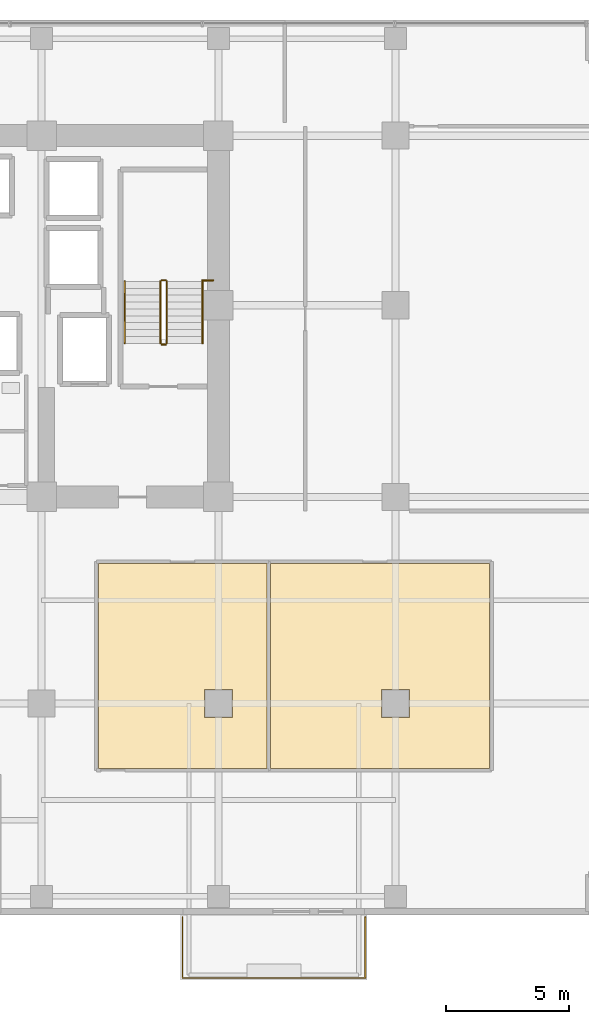
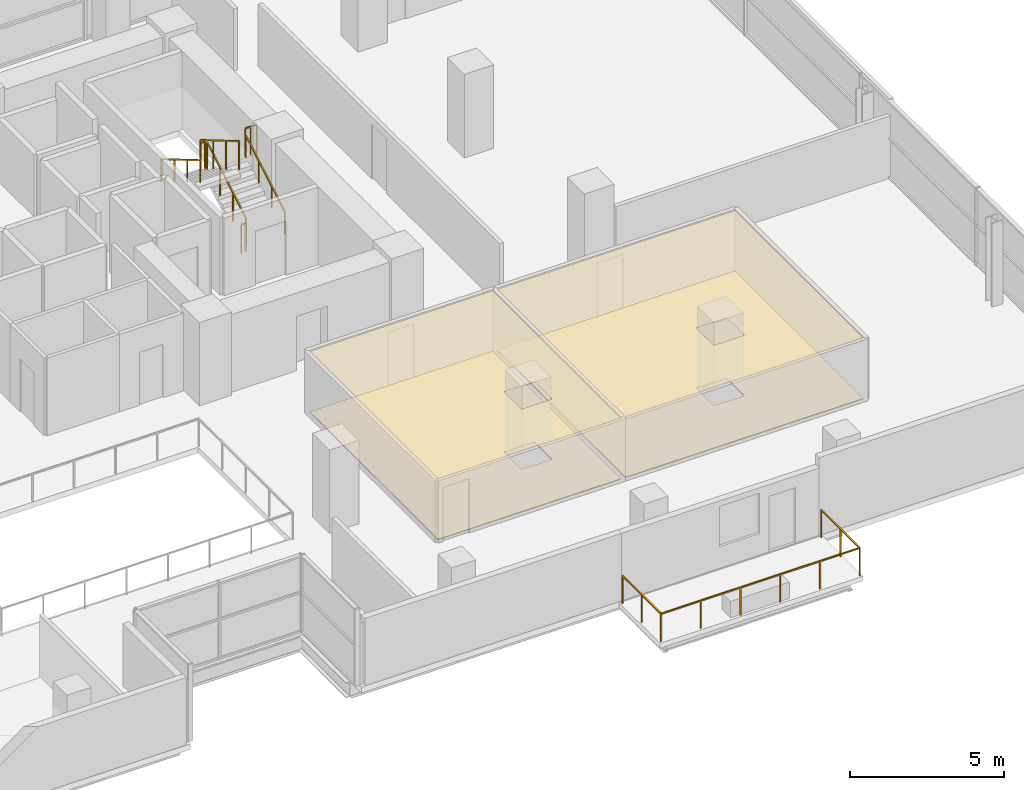
# One storey, part 30 of 31: 8 railings, 4 coverings.
"""IFC4 building model written with IfcOpenShell, lengths in metres."""

from ifc_helpers import new_model, si_unit, direction, frame, origin, origin_2d, place, context, subcontext, project, spatial, polyline, rectangle, outline, extrude, material, layer, layer_set, type_object, element, save


model = new_model("IFC4")

# Units and contexts
model_context = context("Model", 3, precision=1e-05, world=origin(), true_north=direction((0.0, 1.0)))
body_context = subcontext(model_context, "Body", "Model", "MODEL_VIEW")
ifc_project = project(units=[si_unit("LENGTHUNIT", "METRE"), si_unit("AREAUNIT", "SQUARE_METRE"), si_unit("VOLUMEUNIT", "CUBIC_METRE"), si_unit("PLANEANGLEUNIT", "RADIAN"), si_unit("MASSUNIT", "GRAM", prefix="KILO")], contexts=[model_context])

# Site, building, storey
site_placement = place(None, origin())
site = spatial("IfcSite", under=ifc_project, at=site_placement, CompositionType="ELEMENT")
building_placement = place(site_placement, origin())
building = spatial("IfcBuilding", under=site, at=building_placement, Name="Zarnakvel Exchange Tower", CompositionType="ELEMENT")
storey_placement = place(building_placement, frame((0.0, 0.0, 60.39990234375)))
storey = spatial("IfcBuildingStorey", under=building, at=storey_placement, Name="L16", CompositionType="ELEMENT", Elevation=60.39990234375)

# Coverings
ifc_material_1 = material(Name="Perforated Bronze Acoustic Metal Ceiling", Category="aluminium")
ifc_layer_1 = layer(ifc_material_1, 0.02001953125)
ifc_layer_set_1 = layer_set([ifc_layer_1], Name="Perforated Bronze Acoustic Metal Ceiling")
covering_type_1 = type_object("IfcCoveringType", Name="CLG-01", PredefinedType="CEILING", material=ifc_layer_set_1)
covering_1_placement = place(storey_placement, frame((0.0, 0.0, 2.405029296875)))
element("IfcCovering", 1, at=covering_1_placement, inside=storey, type_object=covering_type_1, Name="L16 Suspended Acoustic Ceiling (Seminar Room)", PredefinedType="CEILING", context=body_context, shape_type="SweptSolid", body=[
    extrude(outline(polyline([(9.510009765625, -3.909912109375), (16.364501953125, -3.909912109375), (16.364501953125, -12.239990234375), (9.510009765625, -12.239990234375), (9.510009765625, -3.909912109375)]), holes=[polyline([(13.830078125, -10.169921875), (14.969970703125, -10.169921875), (14.969970703125, -9.030029296875), (13.830078125, -9.030029296875), (13.830078125, -10.169921875)])]), origin(), (0.0, 0.0, 1.0), 0.02001953125),
])
covering_2_placement = place(storey_placement, frame((0.0, 0.0, 2.405029296875)))
element("IfcCovering", 2, at=covering_2_placement, inside=storey, type_object=covering_type_1, Name="L16 Suspended Acoustic Ceiling (Boardroom)", PredefinedType="CEILING", context=body_context, shape_type="SweptSolid", body=[
    extrude(outline(polyline([(16.5244140625, -3.909912109375), (25.435302734375, -3.909912109375), (25.435302734375, -12.239990234375), (16.5244140625, -12.239990234375), (16.5244140625, -3.909912109375)]), holes=[polyline([(22.169921875, -10.169921875), (22.169921875, -9.030029296875), (21.030029296875, -9.030029296875), (21.030029296875, -10.169921875), (22.169921875, -10.169921875)])]), origin(), (0.0, 0.0, 1.0), 0.02001953125),
])
ifc_material_2 = material(Name="Heavy-Duty Raised Access Floor Panel", Category="steel")
ifc_layer_2 = layer(ifc_material_2, 0.034912109375)
ifc_layer_set_2 = layer_set([ifc_layer_2], Name="Heavy-Duty Raised Access Floor Panel")
covering_type_2 = type_object("IfcCoveringType", Name="FLR-02", PredefinedType="FLOORING", material=ifc_layer_set_2)
covering_3_placement = place(storey_placement, origin())
element("IfcCovering", 3, at=covering_3_placement, inside=storey, type_object=covering_type_2, Name="L16 Floor Finish (Seminar Room)", PredefinedType="FLOORING", context=body_context, shape_type="SweptSolid", body=[
    extrude(outline(polyline([(9.510009765625, -3.909912109375), (16.364501953125, -3.909912109375), (16.364501953125, -12.239990234375), (9.510009765625, -12.239990234375), (9.510009765625, -3.909912109375)]), holes=[polyline([(13.830078125, -10.169921875), (14.969970703125, -10.169921875), (14.969970703125, -9.030029296875), (13.830078125, -9.030029296875), (13.830078125, -10.169921875)])]), origin(), (0.0, 0.0, 1.0), 0.03515625),
])
covering_4_placement = place(storey_placement, origin())
element("IfcCovering", 4, at=covering_4_placement, inside=storey, type_object=covering_type_2, Name="L16 Floor Finish (Boardroom)", PredefinedType="FLOORING", context=body_context, shape_type="SweptSolid", body=[
    extrude(outline(polyline([(16.5244140625, -3.909912109375), (25.435302734375, -3.909912109375), (25.435302734375, -12.239990234375), (16.5244140625, -12.239990234375), (16.5244140625, -3.909912109375)]), holes=[polyline([(22.169921875, -10.169921875), (22.169921875, -9.030029296875), (21.030029296875, -9.030029296875), (21.030029296875, -10.169921875), (22.169921875, -10.169921875)])]), origin(), (0.0, 0.0, 1.0), 0.03515625),
])

# Railings
ifc_material_3 = material(Name="Architectural Bronze Anodised Aluminium", Category="aluminium")
railing_type_1 = type_object("IfcRailingType", Name="GR-02", PredefinedType="GUARDRAIL", material=ifc_material_3)
railing_1_placement = place(storey_placement, frame((12.929931640625, -18.280029296875, -0.034912109375)))
element("IfcRailing", 5, at=railing_1_placement, inside=storey, type_object=railing_type_1, Name="L16 Balcony Guardrail BAL-L16-SE", PredefinedType="GUARDRAIL", context=body_context, shape_type="SweptSolid", body=[
    extrude(rectangle(XDim=0.048095703125, YDim=0.048095703125, at=origin_2d()), frame((0.0, 0.0, 1.09619140625), z_axis=(0.0, -1.0, 0.0), x_axis=(1.0, 0.0, 0.0)), (0.0, 0.0, 1.0), 2.489990234375),
    extrude(rectangle(XDim=0.048095703125, YDim=0.048095703125, at=origin_2d()), frame((0.0, -2.489990234375, 1.09619140625), z_axis=(1.0, 0.0, 0.0), x_axis=(0.0, 1.0, 0.0)), (0.0, 0.0, 1.0), 7.440185546875),
    extrude(rectangle(XDim=0.048095703125, YDim=0.048095703125, at=origin_2d()), frame((7.440185546875, -2.489990234375, 1.09619140625), z_axis=(0.0, 1.0, 0.0), x_axis=(-1.0, 0.0, 0.0)), (0.0, 0.0, 1.0), 2.489990234375),
    extrude(rectangle(XDim=0.0419921875, YDim=0.0419921875, at=origin_2d()), origin(), (0.0, 0.0, 1.0), 1.072021484375),
    extrude(rectangle(XDim=0.0419921875, YDim=0.0419921875, at=origin_2d()), frame((0.0, -1.2451171875, 0.0)), (0.0, 0.0, 1.0), 1.072021484375),
    extrude(rectangle(XDim=0.0419921875, YDim=0.0419921875, at=origin_2d()), frame((0.0, -2.489990234375, 0.0)), (0.0, 0.0, 1.0), 1.072021484375),
    extrude(rectangle(XDim=0.0419921875, YDim=0.0419921875, at=origin_2d()), frame((1.488037109375, -2.489990234375, 0.0)), (0.0, 0.0, 1.0), 1.072021484375),
    extrude(rectangle(XDim=0.0419921875, YDim=0.0419921875, at=origin_2d()), frame((2.97607421875, -2.489990234375, 0.0)), (0.0, 0.0, 1.0), 1.072021484375),
    extrude(rectangle(XDim=0.0419921875, YDim=0.0419921875, at=origin_2d()), frame((4.464111328125, -2.489990234375, 0.0)), (0.0, 0.0, 1.0), 1.072021484375),
    extrude(rectangle(XDim=0.0419921875, YDim=0.0419921875, at=origin_2d()), frame((5.9521484375, -2.489990234375, 0.0)), (0.0, 0.0, 1.0), 1.072021484375),
    extrude(rectangle(XDim=0.0419921875, YDim=0.0419921875, at=origin_2d()), frame((7.440185546875, -2.489990234375, 0.0)), (0.0, 0.0, 1.0), 1.072021484375),
    extrude(rectangle(XDim=0.0419921875, YDim=0.0419921875, at=origin_2d()), frame((7.440185546875, -1.2451171875, 0.0)), (0.0, 0.0, 1.0), 1.072021484375),
    extrude(rectangle(XDim=0.0419921875, YDim=0.0419921875, at=origin_2d()), frame((7.440185546875, 0.0, 0.0)), (0.0, 0.0, 1.0), 1.072021484375),
])
ifc_material_4 = material(Name="Brushed Stainless Steel", Category="steel")
railing_type_2 = type_object("IfcRailingType", Name="HR-01", PredefinedType="HANDRAIL", material=ifc_material_4)
railing_2_placement = place(storey_placement, frame((13.75, 5.050048828125, 0.1650390625)))
element("IfcRailing", 6, at=railing_2_placement, inside=storey, type_object=railing_type_2, Name="L16 ST-02 stair handrail 1", PredefinedType="HANDRAIL", context=body_context, shape_type="SweptSolid", body=[
    extrude(rectangle(XDim=0.048095703125, YDim=0.048095703125, at=origin_2d()), frame((0.0, 0.0, 0.8759765625), z_axis=(0.0, 0.86152411907, 0.507716645641), x_axis=(-1.0, 0.0, 0.0)), (0.0, 0.0, 1.0), 2.925048828125),
    extrude(rectangle(XDim=0.0419921875, YDim=0.0419921875, at=origin_2d()), origin(), (0.0, 0.0, 1.0), 0.851806640625),
    extrude(rectangle(XDim=0.0419921875, YDim=0.0419921875, at=origin_2d()), frame((0.0, 0.840087890625, 0.4951171875)), (0.0, 0.0, 1.0), 0.851806640625),
    extrude(rectangle(XDim=0.0419921875, YDim=0.0419921875, at=origin_2d()), frame((0.0, 1.679931640625, 0.989990234375)), (0.0, 0.0, 1.0), 0.851806640625),
    extrude(rectangle(XDim=0.0419921875, YDim=0.0419921875, at=origin_2d()), frame((0.0, 2.52001953125, 1.485107421875)), (0.0, 0.0, 1.0), 0.851806640625),
])
railing_3_placement = place(storey_placement, frame((10.590087890625, 7.570068359375, 1.815185546875)))
element("IfcRailing", 7, at=railing_3_placement, inside=storey, type_object=railing_type_2, Name="L16 ST-02 stair handrail 2", PredefinedType="HANDRAIL", context=body_context, shape_type="SweptSolid", body=[
    extrude(rectangle(XDim=0.048095703125, YDim=0.048095703125, at=origin_2d()), frame((0.0, 0.0, 0.8759765625), z_axis=(0.0, -0.861560626758, 0.507654692109), x_axis=(1.0, 0.0, 0.0)), (0.0, 0.0, 1.0), 2.925048828125),
    extrude(rectangle(XDim=0.0419921875, YDim=0.0419921875, at=origin_2d()), origin(), (0.0, 0.0, 1.0), 0.851806640625),
    extrude(rectangle(XDim=0.0419921875, YDim=0.0419921875, at=origin_2d()), frame((0.0, -0.840087890625, 0.494873046875)), (0.0, 0.0, 1.0), 0.851806640625),
    extrude(rectangle(XDim=0.0419921875, YDim=0.0419921875, at=origin_2d()), frame((0.0, -1.679931640625, 0.989990234375)), (0.0, 0.0, 1.0), 0.851806640625),
    extrude(rectangle(XDim=0.0419921875, YDim=0.0419921875, at=origin_2d()), frame((0.0, -2.52001953125, 1.48486328125)), (0.0, 0.0, 1.0), 0.851806640625),
])
railing_type_3 = type_object("IfcRailingType", Name="SG-01", PredefinedType="GUARDRAIL", material=ifc_material_3)
railing_4_placement = place(storey_placement, frame((12.300048828125, 5.050048828125, 0.1650390625)))
element("IfcRailing", 8, at=railing_4_placement, inside=storey, type_object=railing_type_3, Name="L16 ST-02 stair guard 1", PredefinedType="GUARDRAIL", context=body_context, shape_type="SweptSolid", body=[
    extrude(rectangle(XDim=0.048095703125, YDim=0.048095703125, at=origin_2d()), frame((0.0, 0.0, 1.1259765625), z_axis=(0.0, 0.86152411907, 0.507716645641), x_axis=(-1.0, 0.0, 0.0)), (0.0, 0.0, 1.0), 2.925048828125),
    extrude(rectangle(XDim=0.0419921875, YDim=0.0419921875, at=origin_2d()), origin(), (0.0, 0.0, 1.0), 1.101806640625),
    extrude(rectangle(XDim=0.0419921875, YDim=0.0419921875, at=origin_2d()), frame((0.0, 0.840087890625, 0.4951171875)), (0.0, 0.0, 1.0), 1.101806640625),
    extrude(rectangle(XDim=0.0419921875, YDim=0.0419921875, at=origin_2d()), frame((0.0, 1.679931640625, 0.989990234375)), (0.0, 0.0, 1.0), 1.101806640625),
    extrude(rectangle(XDim=0.0419921875, YDim=0.0419921875, at=origin_2d()), frame((0.0, 2.52001953125, 1.485107421875)), (0.0, 0.0, 1.0), 1.101806640625),
])
railing_5_placement = place(storey_placement, frame((12.25, 7.6201171875, 1.650146484375)))
element("IfcRailing", 9, at=railing_5_placement, inside=storey, type_object=railing_type_3, Name="L16 ST-02 stair guard 2", PredefinedType="GUARDRAIL", context=body_context, shape_type="SweptSolid", body=[
    extrude(rectangle(XDim=0.048095703125, YDim=0.048095703125, at=origin_2d()), frame((0.0, 0.0, 1.1259765625), z_axis=(-1.0, 0.0, 0.0), x_axis=(0.0, -1.0, 0.0)), (0.0, 0.0, 1.0), 0.159912109375),
    extrude(rectangle(XDim=0.0419921875, YDim=0.0419921875, at=origin_2d()), origin(), (0.0, 0.0, 1.0), 1.101806640625),
    extrude(rectangle(XDim=0.0419921875, YDim=0.0419921875, at=origin_2d()), frame((-0.159912109375, 0.0, 0.0)), (0.0, 0.0, 1.0), 1.101806640625),
])
railing_6_placement = place(storey_placement, frame((12.0400390625, 7.570068359375, 1.815185546875)))
element("IfcRailing", 10, at=railing_6_placement, inside=storey, type_object=railing_type_3, Name="L16 ST-02 stair guard 3", PredefinedType="GUARDRAIL", context=body_context, shape_type="SweptSolid", body=[
    extrude(rectangle(XDim=0.048095703125, YDim=0.048095703125, at=origin_2d()), frame((0.0, 0.0, 1.1259765625), z_axis=(0.0, -0.861560626758, 0.507654692109), x_axis=(1.0, 0.0, 0.0)), (0.0, 0.0, 1.0), 2.925048828125),
    extrude(rectangle(XDim=0.0419921875, YDim=0.0419921875, at=origin_2d()), origin(), (0.0, 0.0, 1.0), 1.101806640625),
    extrude(rectangle(XDim=0.0419921875, YDim=0.0419921875, at=origin_2d()), frame((0.0, -0.840087890625, 0.494873046875)), (0.0, 0.0, 1.0), 1.101806640625),
    extrude(rectangle(XDim=0.0419921875, YDim=0.0419921875, at=origin_2d()), frame((0.0, -1.679931640625, 0.989990234375)), (0.0, 0.0, 1.0), 1.101806640625),
    extrude(rectangle(XDim=0.0419921875, YDim=0.0419921875, at=origin_2d()), frame((0.0, -2.52001953125, 1.48486328125)), (0.0, 0.0, 1.0), 1.101806640625),
])
railing_7_placement = place(storey_placement, frame((12.25, 5.0, 0.0)))
element("IfcRailing", 11, at=railing_7_placement, inside=storey, type_object=railing_type_3, Name="L16 ST-02 stair guard 4", PredefinedType="GUARDRAIL", context=body_context, shape_type="SweptSolid", body=[
    extrude(rectangle(XDim=0.048095703125, YDim=0.048095703125, at=origin_2d()), frame((0.0, 0.0, 1.1259765625), z_axis=(-1.0, 0.0, 0.0), x_axis=(0.0, -1.0, 0.0)), (0.0, 0.0, 1.0), 0.159912109375),
    extrude(rectangle(XDim=0.0419921875, YDim=0.0419921875, at=origin_2d()), origin(), (0.0, 0.0, 1.0), 1.101806640625),
    extrude(rectangle(XDim=0.0419921875, YDim=0.0419921875, at=origin_2d()), frame((-0.159912109375, 0.0, 0.0)), (0.0, 0.0, 1.0), 1.101806640625),
])
railing_8_placement = place(storey_placement, frame((13.75, 7.610107421875, 1.650146484375)))
element("IfcRailing", 12, at=railing_8_placement, inside=storey, type_object=railing_type_3, Name="L16 ST-02 Landing Slot Guardrail", PredefinedType="GUARDRAIL", context=body_context, shape_type="SweptSolid", body=[
    extrude(rectangle(XDim=0.048095703125, YDim=0.048095703125, at=origin_2d()), frame((0.0, 0.0, 1.1259765625), z_axis=(1.0, 0.0, 0.0), x_axis=(0.0, 1.0, 0.0)), (0.0, 0.0, 1.0), 0.429931640625),
    extrude(rectangle(XDim=0.0419921875, YDim=0.0419921875, at=origin_2d()), origin(), (0.0, 0.0, 1.0), 1.101806640625),
    extrude(rectangle(XDim=0.0419921875, YDim=0.0419921875, at=origin_2d()), frame((0.21484375, 0.0, 0.0)), (0.0, 0.0, 1.0), 1.101806640625),
    extrude(rectangle(XDim=0.0419921875, YDim=0.0419921875, at=origin_2d()), frame((0.429931640625, 0.0, 0.0)), (0.0, 0.0, 1.0), 1.101806640625),
])

save(model, "model.ifc")
